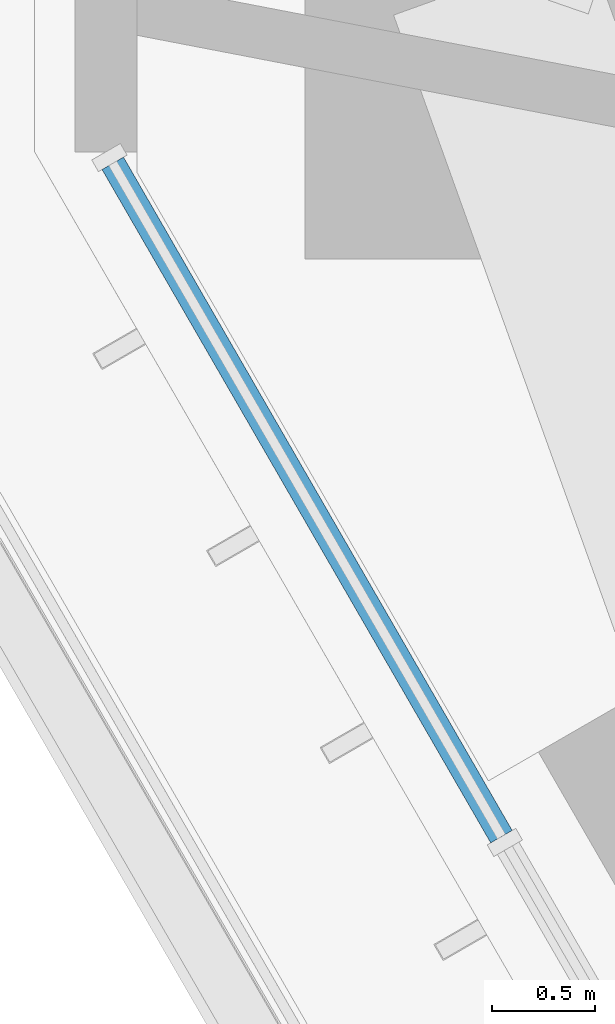
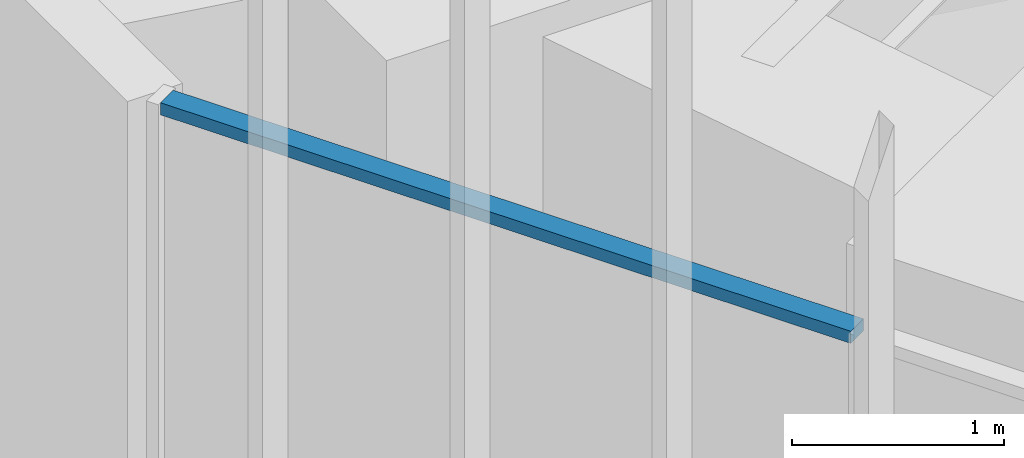
# One storey, part 66 of 228: 1 member, 1 element without a shape of its own.
"""IFC4 building model written with IfcOpenShell, lengths in metres."""

from ifc_helpers import new_model, si_unit, direction, frame, origin, origin_2d, place, context, subcontext, project, spatial, rectangle, extrude, material, material_profile, profile_set, type_object, element, aggregate, save


model = new_model("IFC4")

# Units and contexts
model_context = context("Model", 3, precision=1e-05, world=origin(), true_north=direction((0.0, 1.0)))
body_context = subcontext(model_context, "Body", "Model", "MODEL_VIEW")
ifc_project = project(units=[si_unit("LENGTHUNIT", "METRE"), si_unit("AREAUNIT", "SQUARE_METRE"), si_unit("VOLUMEUNIT", "CUBIC_METRE"), si_unit("PLANEANGLEUNIT", "RADIAN"), si_unit("MASSUNIT", "GRAM", prefix="KILO")], contexts=[model_context])

# Site, building, storey
site_placement = place(None, origin())
site = spatial("IfcSite", under=ifc_project, at=site_placement, CompositionType="ELEMENT")
building_placement = place(site_placement, origin())
building = spatial("IfcBuilding", under=site, at=building_placement, Name="Sandreach Pilgrim Tower", CompositionType="ELEMENT")
storey_placement = place(building_placement, frame((0.0, 0.0, 178.199951171875)))
storey = spatial("IfcBuildingStorey", under=building, at=storey_placement, Name="L44", CompositionType="ELEMENT", Elevation=178.199951171875)

# Curtain wall, member
ifc_material_1 = material(Name="Aluminium framed curtain wall", Category="aluminium")
curtain_wall_type = type_object("IfcCurtainWallType", Name="Upper hotel tower curtain wall", PredefinedType="NOTDEFINED", material=ifc_material_1)
curtain_wall_placement = place(storey_placement, origin())
curtain_wall = element("IfcCurtainWall", 1, at=curtain_wall_placement, inside=storey, type_object=curtain_wall_type, Name="CW-3 L44 SW", PredefinedType="NOTDEFINED")
ifc_material_2 = material(Name="Aluminium extrusion", Category="aluminium")
ifc_material_profile = material_profile(ifc_material_2, rectangle(XDim=0.1201171875, YDim=0.070068359375, at=origin_2d()), Name="CW-3T 120X70")
ifc_profile_set = profile_set([ifc_material_profile], Name="Aluminium extrusion")
member_type = type_object("IfcMemberType", Name="CW-3 transom", PredefinedType="USERDEFINED", material=ifc_profile_set)
member_placement = place(storey_placement, frame((-25.104248046875, 1.161376953125, 4.804931640625), z_axis=(-0.499944992379, 0.86605716012, 0.0), x_axis=(-0.86605716012, -0.499944992379, 0.0)))
member = element("IfcMember", 2, at=member_placement, type_object=member_type, Name="CW-3 head transom 9", ObjectType="TRANSOM", PredefinedType="USERDEFINED", context=body_context, shape_type="SweptSolid", body=[
    extrude(rectangle(XDim=0.1201171875, YDim=0.070068359375, at=origin_2d()), origin(), (0.0, 0.0, 1.0), 3.76708984375),
])
aggregate(curtain_wall, [member])

save(model, "model.ifc")
